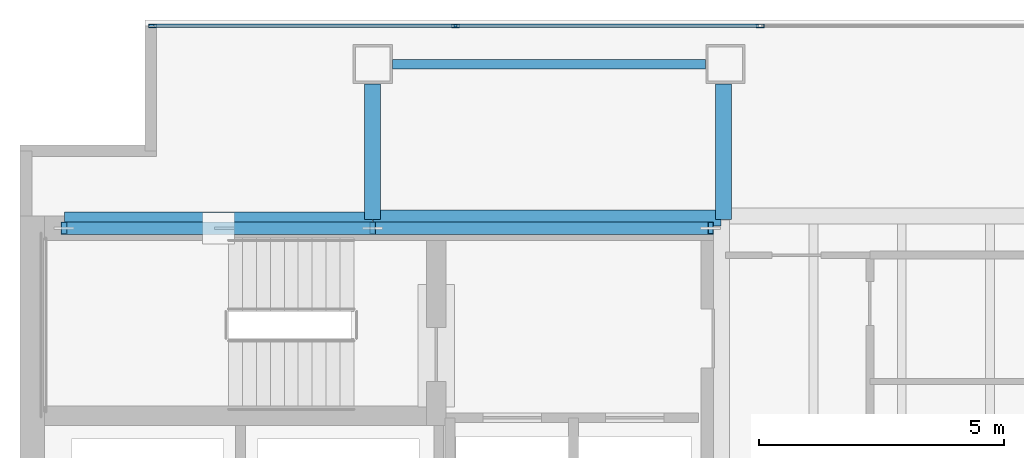
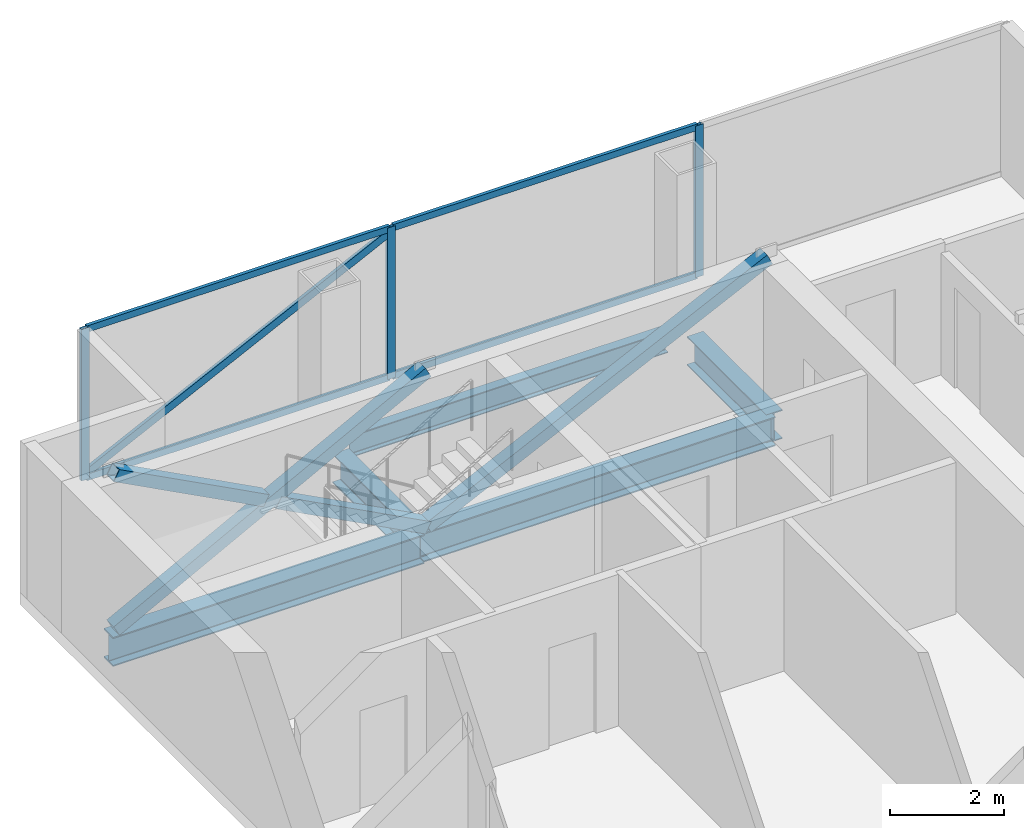
# One storey, part 17 of 23: 12 members, 5 beams, 1 element without a shape of its own.
"""IFC4 building model written with IfcOpenShell, lengths in metres."""

from ifc_helpers import new_model, si_unit, direction, frame, origin, origin_2d, place, context, subcontext, project, spatial, hollow_rectangle, i_section, extrude, material, material_profile, profile_set, type_object, element, aggregate, save


model = new_model("IFC4")

# Units and contexts
model_context = context("Model", 3, precision=1e-05, world=origin(), true_north=direction((0.0, 1.0)))
body_context = subcontext(model_context, "Body", "Model", "MODEL_VIEW")
ifc_project = project(units=[si_unit("LENGTHUNIT", "METRE"), si_unit("AREAUNIT", "SQUARE_METRE"), si_unit("VOLUMEUNIT", "CUBIC_METRE"), si_unit("PLANEANGLEUNIT", "RADIAN"), si_unit("MASSUNIT", "GRAM", prefix="KILO")], contexts=[model_context])

# Site, building, storey
site_placement = place(None, origin())
site = spatial("IfcSite", under=ifc_project, at=site_placement, CompositionType="ELEMENT")
building_placement = place(site_placement, origin())
building = spatial("IfcBuilding", under=site, at=building_placement, Name="Cobrela Telecom Tower", CompositionType="ELEMENT")
storey_placement = place(building_placement, frame((0.0, 0.0, 194.25)))
storey = spatial("IfcBuildingStorey", under=building, at=storey_placement, Name="L49", CompositionType="ELEMENT", Elevation=194.25)

# Beams
ifc_material_1 = material(Name="Steel ASTM A992 Grade 50", Category="steel")
ifc_material_profile_1 = material_profile(ifc_material_1, i_section(OverallWidth=0.327880859375, OverallDepth=0.6220703125, WebThickness=0.015380859375, FlangeThickness=0.0244140625, FilletRadius=0.014892578125, at=origin_2d()), Name="W24X131")
ifc_profile_set_1 = profile_set([ifc_material_profile_1], Name="Steel ASTM A992 Grade 50")
beam_type_1 = type_object("IfcBeamType", Name="BM-GIRD-06", PredefinedType="USERDEFINED", material=ifc_profile_set_1)
beam_1_placement = place(storey_placement, frame((0.905029296875, 35.919921875, -0.571044921875), z_axis=(1.0, 0.0, 0.0), x_axis=(0.0, 1.0, 0.0)))
element("IfcBeam", 1, at=beam_1_placement, inside=storey, type_object=beam_type_1, Name="L49 Primary Girder X20", ObjectType="GIRDER", PredefinedType="USERDEFINED", context=body_context, shape_type="SweptSolid", body=[
    extrude(i_section(OverallWidth=0.327880859375, OverallDepth=0.6220703125, WebThickness=0.015380859375, FlangeThickness=0.0244140625, FilletRadius=0.014892578125, at=origin_2d()), origin(), (0.0, 0.0, 1.0), 6.2900390625),
])
beam_2_placement = place(storey_placement, frame((7.205078125, 35.9599609375, -0.571044921875), z_axis=(1.0, 0.0, 0.0), x_axis=(0.0, 1.0, 0.0)))
element("IfcBeam", 2, at=beam_2_placement, inside=storey, type_object=beam_type_1, Name="L49 Primary Girder X21", ObjectType="GIRDER", PredefinedType="USERDEFINED", context=body_context, shape_type="SweptSolid", body=[
    extrude(i_section(OverallWidth=0.327880859375, OverallDepth=0.6220703125, WebThickness=0.015380859375, FlangeThickness=0.0244140625, FilletRadius=0.014892578125, at=origin_2d()), origin(), (0.0, 0.0, 1.0), 7.10986328125),
])
for number, where, z_axis, x_axis, name in (
    (3, (7.199951171875, 35.925048828125, -0.571044921875), (0.0, 1.0, 0.0), (-1.0, 0.0, 0.0), "L49 Primary Girder Y25"),
    (4, (14.360107421875, 35.925048828125, -0.571044921875), (0.0, 1.0, 0.0), (-1.0, 0.0, 0.0), "L49 Primary Girder Y31"),
):
    element("IfcBeam", number, at=place(storey_placement, frame(where, z_axis=z_axis, x_axis=x_axis)), inside=storey, type_object=beam_type_1, Name=name, ObjectType="GIRDER", PredefinedType="USERDEFINED", context=body_context, shape_type="SweptSolid", body=[
        extrude(i_section(OverallWidth=0.327880859375, OverallDepth=0.6220703125, WebThickness=0.015380859375, FlangeThickness=0.0244140625, FilletRadius=0.014892578125, at=origin_2d()), origin(), (0.0, 0.0, 1.0), 2.77001953125),
    ])
ifc_material_profile_2 = material_profile(ifc_material_1, i_section(OverallWidth=0.193115234375, OverallDepth=0.467041015625, WebThickness=0.011474609375, FlangeThickness=0.01904296875, FilletRadius=0.012939453125, at=origin_2d()), Name="W18X65")
ifc_profile_set_2 = profile_set([ifc_material_profile_2], Name="Steel ASTM A992 Grade 50")
beam_type_2 = type_object("IfcBeamType", Name="BM-SPAND-05", PredefinedType="SPANDREL", material=ifc_profile_set_2)
beam_3_placement = place(storey_placement, frame((7.60498046875, 39.10009765625, -0.493408203125), z_axis=(1.0, 0.0, 0.0), x_axis=(0.0, 1.0, 0.0)))
element("IfcBeam", 5, at=beam_3_placement, inside=storey, type_object=beam_type_2, Name="L49 Perimeter Spandrel X23", PredefinedType="SPANDREL", context=body_context, shape_type="SweptSolid", body=[
    extrude(i_section(OverallWidth=0.193115234375, OverallDepth=0.467041015625, WebThickness=0.011474609375, FlangeThickness=0.01904296875, FilletRadius=0.012939453125, at=origin_2d()), origin(), (0.0, 0.0, 1.0), 6.39013671875),
])

# Curtain wall, members
ifc_material_2 = material(Name="Anodized Bronze Aluminium 6063-T6", Category="aluminium")
curtain_wall_type = type_object("IfcCurtainWallType", Name="CW-SYS-OFF-LO", PredefinedType="USERDEFINED", material=ifc_material_2)
curtain_wall_placement = place(storey_placement, origin())
curtain_wall = element("IfcCurtainWall", 6, at=curtain_wall_placement, inside=storey, type_object=curtain_wall_type, Name="L49 Unitised Bronze Curtain Wall 07", ObjectType="UNITISED CURTAIN WALL", PredefinedType="USERDEFINED")
ifc_material_profile_3 = material_profile(ifc_material_2, hollow_rectangle(XDim=0.070068359375, YDim=0.159912109375, WallThickness=0.00390625, at=origin_2d()), Name="ALU 70x160x4")
ifc_profile_set_3 = profile_set([ifc_material_profile_3], Name="Anodized Bronze Aluminium 6063-T6")
member_type_1 = type_object("IfcMemberType", Name="CW-SYS-OFF-LO-MUL", PredefinedType="MULLION", material=ifc_profile_set_3)
member_1_placement = place(storey_placement, frame((2.705078125, 39.8798828125, 0.0), z_axis=(0.0, 0.0, 1.0), x_axis=(0.0, 1.0, 0.0)))
member_1 = element("IfcMember", 7, at=member_1_placement, type_object=member_type_1, Name="CW-OFF-LO mullion 1", PredefinedType="MULLION", context=body_context, shape_type="SweptSolid", body=[
    extrude(hollow_rectangle(XDim=0.070068359375, YDim=0.159912109375, WallThickness=0.00390625, at=origin_2d()), origin(), (0.0, 0.0, 1.0), 3.239990234375),
])
member_2_placement = place(storey_placement, frame((8.889892578125, 39.8798828125, 0.0), z_axis=(0.0, 0.0, 1.0), x_axis=(0.0, 1.0, 0.0)))
member_2 = element("IfcMember", 8, at=member_2_placement, type_object=member_type_1, Name="CW-OFF-LO mullion 2", PredefinedType="MULLION", context=body_context, shape_type="SweptSolid", body=[
    extrude(hollow_rectangle(XDim=0.070068359375, YDim=0.159912109375, WallThickness=0.00390625, at=origin_2d()), origin(), (0.0, 0.0, 1.0), 3.239990234375),
])
member_3_placement = place(storey_placement, frame((15.110107421875, 39.8798828125, 0.0), z_axis=(0.0, 0.0, 1.0), x_axis=(0.0, 1.0, 0.0)))
member_3 = element("IfcMember", 9, at=member_3_placement, type_object=member_type_1, Name="CW-OFF-LO mullion 3", PredefinedType="MULLION", context=body_context, shape_type="SweptSolid", body=[
    extrude(hollow_rectangle(XDim=0.070068359375, YDim=0.159912109375, WallThickness=0.00390625, at=origin_2d()), origin(), (0.0, 0.0, 1.0), 3.239990234375),
])
member_4_placement = place(storey_placement, frame((2.669921875, 39.8798828125, 0.10009765625), z_axis=(0.89844588661, 0.0, 0.439084261655), x_axis=(0.0, 1.0, 0.0)))
member_4 = element("IfcMember", 10, at=member_4_placement, type_object=member_type_1, Name="L49 Faceted Curtain Wall Diagonal Glazing Mullion", PredefinedType="MULLION", context=body_context, shape_type="SweptSolid", body=[
    extrude(hollow_rectangle(XDim=0.070068359375, YDim=0.159912109375, WallThickness=0.00390625, at=origin_2d()), origin(), (0.0, 0.0, 1.0), 6.923095703125),
])
ifc_material_profile_4 = material_profile(ifc_material_2, hollow_rectangle(XDim=0.070068359375, YDim=0.139892578125, WallThickness=0.00390625, at=origin_2d()), Name="ALU 70x140x4")
ifc_profile_set_4 = profile_set([ifc_material_profile_4], Name="Anodized Bronze Aluminium 6063-T6")
member_type_2 = type_object("IfcMemberType", Name="CW-SYS-OFF-LO-TRN", PredefinedType="USERDEFINED", material=ifc_profile_set_4)
member_5_placement = place(storey_placement, frame((2.739990234375, 39.8798828125, 0.034912109375), z_axis=(1.0, 0.0, 0.0), x_axis=(0.0, 1.0, 0.0)))
member_5 = element("IfcMember", 11, at=member_5_placement, type_object=member_type_2, Name="CW-OFF-LO transom 1.1", ObjectType="TRANSOM", PredefinedType="USERDEFINED", context=body_context, shape_type="SweptSolid", body=[
    extrude(hollow_rectangle(XDim=0.070068359375, YDim=0.139892578125, WallThickness=0.00390625, at=origin_2d()), origin(), (0.0, 0.0, 1.0), 6.114990234375),
])
member_6_placement = place(storey_placement, frame((2.739990234375, 39.8798828125, 3.205078125), z_axis=(1.0, 0.0, 0.0), x_axis=(0.0, 1.0, 0.0)))
member_6 = element("IfcMember", 12, at=member_6_placement, type_object=member_type_2, Name="CW-OFF-LO transom 1.2", ObjectType="TRANSOM", PredefinedType="USERDEFINED", context=body_context, shape_type="SweptSolid", body=[
    extrude(hollow_rectangle(XDim=0.070068359375, YDim=0.139892578125, WallThickness=0.00390625, at=origin_2d()), origin(), (0.0, 0.0, 1.0), 6.114990234375),
])
member_7_placement = place(storey_placement, frame((8.925048828125, 39.8798828125, 0.034912109375), z_axis=(1.0, 0.0, 0.0), x_axis=(0.0, 1.0, 0.0)))
member_7 = element("IfcMember", 13, at=member_7_placement, type_object=member_type_2, Name="CW-OFF-LO transom 2.1", ObjectType="TRANSOM", PredefinedType="USERDEFINED", context=body_context, shape_type="SweptSolid", body=[
    extrude(hollow_rectangle(XDim=0.070068359375, YDim=0.139892578125, WallThickness=0.00390625, at=origin_2d()), origin(), (0.0, 0.0, 1.0), 6.14990234375),
])
member_8_placement = place(storey_placement, frame((8.925048828125, 39.8798828125, 3.205078125), z_axis=(1.0, 0.0, 0.0), x_axis=(0.0, 1.0, 0.0)))
member_8 = element("IfcMember", 14, at=member_8_placement, type_object=member_type_2, Name="CW-OFF-LO transom 2.2", ObjectType="TRANSOM", PredefinedType="USERDEFINED", context=body_context, shape_type="SweptSolid", body=[
    extrude(hollow_rectangle(XDim=0.070068359375, YDim=0.139892578125, WallThickness=0.00390625, at=origin_2d()), origin(), (0.0, 0.0, 1.0), 6.14990234375),
])
aggregate(curtain_wall, [member_1, member_2, member_3, member_5, member_6, member_7, member_8, member_4])

# Members
ifc_material_3 = material(Name="Steel ASTM A572 Grade 50", Category="steel")
ifc_material_profile_5 = material_profile(ifc_material_3, hollow_rectangle(XDim=0.25, YDim=0.25, WallThickness=0.013916015625, at=origin_2d()), Name="HSS 250x250x14")
ifc_profile_set_5 = profile_set([ifc_material_profile_5], Name="Steel ASTM A572 Grade 50")
member_type_3 = type_object("IfcMemberType", Name="MBR-EXO-04", PredefinedType="BRACE", material=ifc_profile_set_5)
member_9_placement = place(storey_placement, frame((0.89990234375, 35.75, -0.0400390625), z_axis=(0.884671945606, 0.0, 0.466214058837), x_axis=(0.0, 1.0, 0.0)))
element("IfcMember", 15, at=member_9_placement, inside=storey, type_object=member_type_3, Name="L49 Core Flange Steel X-Brace Continuous A", PredefinedType="BRACE", context=body_context, shape_type="SweptSolid", body=[
    extrude(hollow_rectangle(XDim=0.25, YDim=0.25, WallThickness=0.013916015625, at=origin_2d()), origin(), (0.0, 0.0, 1.0), 7.121337890625),
])
for number, where, z_axis, x_axis, name in (
    (16, (7.199951171875, 35.75, -0.0400390625), (-0.884673479945, 0.0, 0.466211147317), (0.0, -1.0, 0.0), "L49 Core Flange Steel X-Brace Split B1"),
    (17, (3.926025390625, 35.75, 1.685302734375), (-0.884673479945, 0.0, 0.466211147317), (0.0, -1.0, 0.0), "L49 Core Flange Steel X-Brace Split B2"),
):
    element("IfcMember", number, at=place(storey_placement, frame(where, z_axis=z_axis, x_axis=x_axis)), inside=storey, type_object=member_type_3, Name=name, PredefinedType="BRACE", context=body_context, shape_type="SweptSolid", body=[
        extrude(hollow_rectangle(XDim=0.25, YDim=0.25, WallThickness=0.013916015625, at=origin_2d()), origin(), (0.0, 0.0, 1.0), 3.420654296875),
    ])
member_10_placement = place(storey_placement, frame((7.199951171875, 35.75, -0.0400390625), z_axis=(0.901115182893, 0.0, 0.43357978177), x_axis=(0.0, 1.0, 0.0)))
element("IfcMember", 18, at=member_10_placement, inside=storey, type_object=member_type_3, Name="L49 Core Flange Steel Brace N2", PredefinedType="BRACE", context=body_context, shape_type="SweptSolid", body=[
    extrude(hollow_rectangle(XDim=0.25, YDim=0.25, WallThickness=0.013916015625, at=origin_2d()), origin(), (0.0, 0.0, 1.0), 7.6572265625),
])

save(model, "model.ifc")
